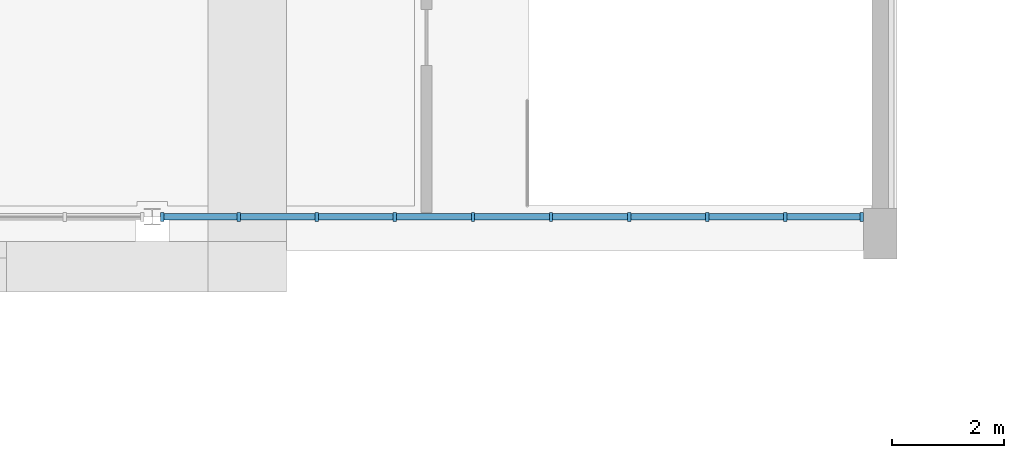
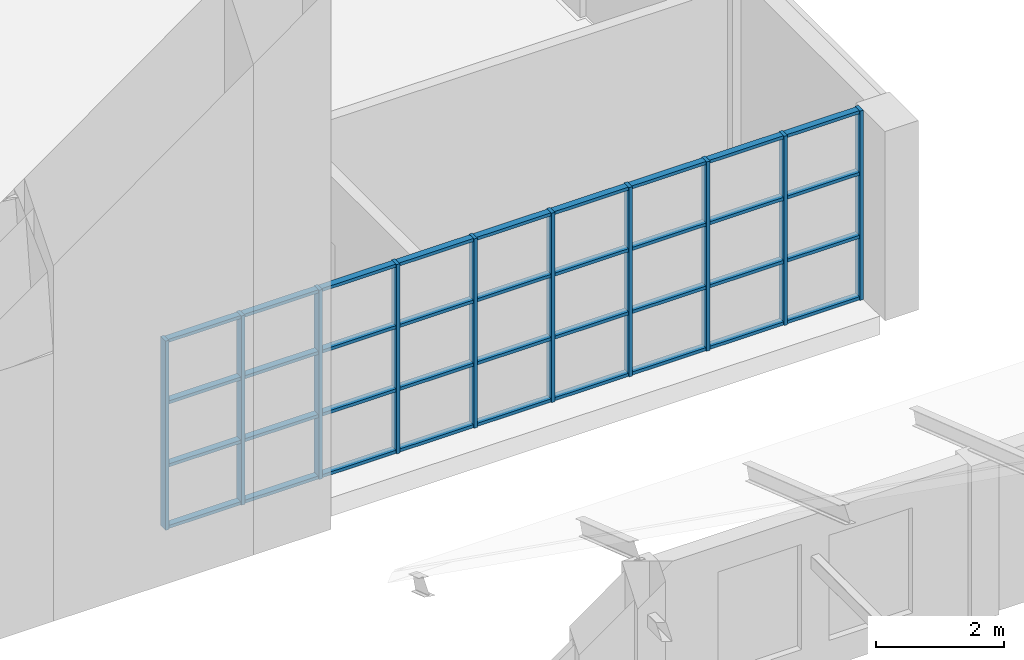
# One storey, part 14 of 82: 46 members, 1 element without a shape of its own.
"""IFC4 building model written with IfcOpenShell, lengths in metres."""

from ifc_helpers import new_model, si_unit, direction, frame, origin, origin_2d, place, context, subcontext, project, spatial, rectangle, extrude, material, material_profile, profile_set, type_object, element, aggregate, save


model = new_model("IFC4")

# Units and contexts
model_context = context("Model", 3, precision=1e-05, world=origin(), true_north=direction((0.0, 1.0)))
body_context = subcontext(model_context, "Body", "Model", "MODEL_VIEW")
ifc_project = project(units=[si_unit("LENGTHUNIT", "METRE"), si_unit("AREAUNIT", "SQUARE_METRE"), si_unit("VOLUMEUNIT", "CUBIC_METRE"), si_unit("PLANEANGLEUNIT", "RADIAN"), si_unit("MASSUNIT", "GRAM", prefix="KILO")], contexts=[model_context])

# Site, building, storey
site_placement = place(None, origin())
site = spatial("IfcSite", under=ifc_project, at=site_placement, CompositionType="ELEMENT")
building_placement = place(site_placement, origin())
building = spatial("IfcBuilding", under=site, at=building_placement, Name="Elbe Cascade School", CompositionType="ELEMENT")
storey_placement = place(building_placement, frame((0.0, 0.0, 4.5)))
storey = spatial("IfcBuildingStorey", under=building, at=storey_placement, Name="L01", CompositionType="ELEMENT", Elevation=4.5)

# Curtain wall, members
ifc_material_1 = material(Name="Glass - double glazed low-E", Category="glass")
curtain_wall_type = type_object("IfcCurtainWallType", Name="Hall gable curtain wall", PredefinedType="NOTDEFINED", material=ifc_material_1)
curtain_wall_placement = place(storey_placement, origin())
curtain_wall = element("IfcCurtainWall", 1, at=curtain_wall_placement, inside=storey, type_object=curtain_wall_type, Name="Gable curtain wall S4", PredefinedType="NOTDEFINED")
ifc_material_2 = material(Name="Aluminium - bronze anodised", Category="aluminium")
ifc_material_profile_1 = material_profile(ifc_material_2, rectangle(XDim=0.159912109375, YDim=0.06005859375, at=origin_2d()), Name="Alu 60x160")
ifc_profile_set_1 = profile_set([ifc_material_profile_1], Name="Aluminium - bronze anodised")
member_type_1 = type_object("IfcMemberType", Name="Hall gable mullion 60x160", PredefinedType="MULLION", material=ifc_profile_set_1)
member_1_placement = place(storey_placement, frame((47.179931640625, 41.300048828125, 0.0), z_axis=(0.0, 0.0, 1.0), x_axis=(0.0, 1.0, 0.0)))
member_1 = element("IfcMember", 2, at=member_1_placement, type_object=member_type_1, Name="CW6 mullion 1", PredefinedType="MULLION", context=body_context, shape_type="SweptSolid", body=[
    extrude(rectangle(XDim=0.159912109375, YDim=0.06005859375, at=origin_2d()), origin(), (0.0, 0.0, 1.0), 3.60009765625),
])
member_2_placement = place(storey_placement, frame((48.54443359375, 41.300048828125, 0.0), z_axis=(0.0, 0.0, 1.0), x_axis=(0.0, 1.0, 0.0)))
member_2 = element("IfcMember", 3, at=member_2_placement, type_object=member_type_1, Name="CW6 mullion 2", PredefinedType="MULLION", context=body_context, shape_type="SweptSolid", body=[
    extrude(rectangle(XDim=0.159912109375, YDim=0.06005859375, at=origin_2d()), origin(), (0.0, 0.0, 1.0), 3.60009765625),
])
member_3_placement = place(storey_placement, frame((49.93896484375, 41.300048828125, 0.0), z_axis=(0.0, 0.0, 1.0), x_axis=(0.0, 1.0, 0.0)))
member_3 = element("IfcMember", 4, at=member_3_placement, type_object=member_type_1, Name="CW6 mullion 3", PredefinedType="MULLION", context=body_context, shape_type="SweptSolid", body=[
    extrude(rectangle(XDim=0.159912109375, YDim=0.06005859375, at=origin_2d()), origin(), (0.0, 0.0, 1.0), 3.60009765625),
])
member_4_placement = place(storey_placement, frame((51.333251953125, 41.300048828125, 0.0), z_axis=(0.0, 0.0, 1.0), x_axis=(0.0, 1.0, 0.0)))
member_4 = element("IfcMember", 5, at=member_4_placement, type_object=member_type_1, Name="CW6 mullion 4", PredefinedType="MULLION", context=body_context, shape_type="SweptSolid", body=[
    extrude(rectangle(XDim=0.159912109375, YDim=0.06005859375, at=origin_2d()), origin(), (0.0, 0.0, 1.0), 3.60009765625),
])
member_5_placement = place(storey_placement, frame((52.727783203125, 41.300048828125, 0.0), z_axis=(0.0, 0.0, 1.0), x_axis=(0.0, 1.0, 0.0)))
member_5 = element("IfcMember", 6, at=member_5_placement, type_object=member_type_1, Name="CW6 mullion 5", PredefinedType="MULLION", context=body_context, shape_type="SweptSolid", body=[
    extrude(rectangle(XDim=0.159912109375, YDim=0.06005859375, at=origin_2d()), origin(), (0.0, 0.0, 1.0), 3.60009765625),
])
member_6_placement = place(storey_placement, frame((54.122314453125, 41.300048828125, 0.0), z_axis=(0.0, 0.0, 1.0), x_axis=(0.0, 1.0, 0.0)))
member_6 = element("IfcMember", 7, at=member_6_placement, type_object=member_type_1, Name="CW6 mullion 6", PredefinedType="MULLION", context=body_context, shape_type="SweptSolid", body=[
    extrude(rectangle(XDim=0.159912109375, YDim=0.06005859375, at=origin_2d()), origin(), (0.0, 0.0, 1.0), 3.60009765625),
])
member_7_placement = place(storey_placement, frame((55.5166015625, 41.300048828125, 0.0), z_axis=(0.0, 0.0, 1.0), x_axis=(0.0, 1.0, 0.0)))
member_7 = element("IfcMember", 8, at=member_7_placement, type_object=member_type_1, Name="CW6 mullion 7", PredefinedType="MULLION", context=body_context, shape_type="SweptSolid", body=[
    extrude(rectangle(XDim=0.159912109375, YDim=0.06005859375, at=origin_2d()), origin(), (0.0, 0.0, 1.0), 3.60009765625),
])
member_8_placement = place(storey_placement, frame((56.9111328125, 41.300048828125, 0.0), z_axis=(0.0, 0.0, 1.0), x_axis=(0.0, 1.0, 0.0)))
member_8 = element("IfcMember", 9, at=member_8_placement, type_object=member_type_1, Name="CW6 mullion 8", PredefinedType="MULLION", context=body_context, shape_type="SweptSolid", body=[
    extrude(rectangle(XDim=0.159912109375, YDim=0.06005859375, at=origin_2d()), origin(), (0.0, 0.0, 1.0), 3.60009765625),
])
member_9_placement = place(storey_placement, frame((58.3056640625, 41.300048828125, 0.0), z_axis=(0.0, 0.0, 1.0), x_axis=(0.0, 1.0, 0.0)))
member_9 = element("IfcMember", 10, at=member_9_placement, type_object=member_type_1, Name="CW6 mullion 9", PredefinedType="MULLION", context=body_context, shape_type="SweptSolid", body=[
    extrude(rectangle(XDim=0.159912109375, YDim=0.06005859375, at=origin_2d()), origin(), (0.0, 0.0, 1.0), 3.60009765625),
])
member_10_placement = place(storey_placement, frame((59.669921875, 41.300048828125, 0.0), z_axis=(0.0, 0.0, 1.0), x_axis=(0.0, 1.0, 0.0)))
member_10 = element("IfcMember", 11, at=member_10_placement, type_object=member_type_1, Name="CW6 mullion 10", PredefinedType="MULLION", context=body_context, shape_type="SweptSolid", body=[
    extrude(rectangle(XDim=0.159912109375, YDim=0.06005859375, at=origin_2d()), origin(), (0.0, 0.0, 1.0), 3.60009765625),
])
ifc_material_3 = material(Name="Aluminium - bronze anodised", Category="aluminium")
ifc_material_profile_2 = material_profile(ifc_material_3, rectangle(XDim=0.1201171875, YDim=0.06005859375, at=origin_2d()), Name="Alu 60x120")
ifc_profile_set_2 = profile_set([ifc_material_profile_2], Name="Aluminium - bronze anodised")
member_type_2 = type_object("IfcMemberType", Name="Hall gable transom 60x120", PredefinedType="USERDEFINED", material=ifc_profile_set_2)
member_11_placement = place(storey_placement, frame((47.2099609375, 41.300048828125, 0.030029296875), z_axis=(1.0, 0.0, 0.0), x_axis=(0.0, 1.0, 0.0)))
member_11 = element("IfcMember", 12, at=member_11_placement, type_object=member_type_2, Name="CW6 transom 1.1", ObjectType="TRANSOM", PredefinedType="USERDEFINED", context=body_context, shape_type="SweptSolid", body=[
    extrude(rectangle(XDim=0.1201171875, YDim=0.06005859375, at=origin_2d()), origin(), (0.0, 0.0, 1.0), 1.304443359375),
])
member_12_placement = place(storey_placement, frame((47.2099609375, 41.300048828125, 1.199951171875), z_axis=(1.0, 0.0, 0.0), x_axis=(0.0, 1.0, 0.0)))
member_12 = element("IfcMember", 13, at=member_12_placement, type_object=member_type_2, Name="CW6 transom 1.2", ObjectType="TRANSOM", PredefinedType="USERDEFINED", context=body_context, shape_type="SweptSolid", body=[
    extrude(rectangle(XDim=0.1201171875, YDim=0.06005859375, at=origin_2d()), origin(), (0.0, 0.0, 1.0), 1.304443359375),
])
member_13_placement = place(storey_placement, frame((47.2099609375, 41.300048828125, 2.39990234375), z_axis=(1.0, 0.0, 0.0), x_axis=(0.0, 1.0, 0.0)))
member_13 = element("IfcMember", 14, at=member_13_placement, type_object=member_type_2, Name="CW6 transom 1.3", ObjectType="TRANSOM", PredefinedType="USERDEFINED", context=body_context, shape_type="SweptSolid", body=[
    extrude(rectangle(XDim=0.1201171875, YDim=0.06005859375, at=origin_2d()), origin(), (0.0, 0.0, 1.0), 1.304443359375),
])
member_14_placement = place(storey_placement, frame((47.2099609375, 41.300048828125, 3.570068359375), z_axis=(1.0, 0.0, 0.0), x_axis=(0.0, 1.0, 0.0)))
member_14 = element("IfcMember", 15, at=member_14_placement, type_object=member_type_2, Name="CW6 transom 1.4", ObjectType="TRANSOM", PredefinedType="USERDEFINED", context=body_context, shape_type="SweptSolid", body=[
    extrude(rectangle(XDim=0.1201171875, YDim=0.06005859375, at=origin_2d()), origin(), (0.0, 0.0, 1.0), 1.304443359375),
])
member_15_placement = place(storey_placement, frame((48.574462890625, 41.300048828125, 0.030029296875), z_axis=(1.0, 0.0, 0.0), x_axis=(0.0, 1.0, 0.0)))
member_15 = element("IfcMember", 16, at=member_15_placement, type_object=member_type_2, Name="CW6 transom 2.1", ObjectType="TRANSOM", PredefinedType="USERDEFINED", context=body_context, shape_type="SweptSolid", body=[
    extrude(rectangle(XDim=0.1201171875, YDim=0.06005859375, at=origin_2d()), origin(), (0.0, 0.0, 1.0), 1.33447265625),
])
member_16_placement = place(storey_placement, frame((48.574462890625, 41.300048828125, 1.199951171875), z_axis=(1.0, 0.0, 0.0), x_axis=(0.0, 1.0, 0.0)))
member_16 = element("IfcMember", 17, at=member_16_placement, type_object=member_type_2, Name="CW6 transom 2.2", ObjectType="TRANSOM", PredefinedType="USERDEFINED", context=body_context, shape_type="SweptSolid", body=[
    extrude(rectangle(XDim=0.1201171875, YDim=0.06005859375, at=origin_2d()), origin(), (0.0, 0.0, 1.0), 1.33447265625),
])
member_17_placement = place(storey_placement, frame((48.574462890625, 41.300048828125, 2.39990234375), z_axis=(1.0, 0.0, 0.0), x_axis=(0.0, 1.0, 0.0)))
member_17 = element("IfcMember", 18, at=member_17_placement, type_object=member_type_2, Name="CW6 transom 2.3", ObjectType="TRANSOM", PredefinedType="USERDEFINED", context=body_context, shape_type="SweptSolid", body=[
    extrude(rectangle(XDim=0.1201171875, YDim=0.06005859375, at=origin_2d()), origin(), (0.0, 0.0, 1.0), 1.33447265625),
])
member_18_placement = place(storey_placement, frame((48.574462890625, 41.300048828125, 3.570068359375), z_axis=(1.0, 0.0, 0.0), x_axis=(0.0, 1.0, 0.0)))
member_18 = element("IfcMember", 19, at=member_18_placement, type_object=member_type_2, Name="CW6 transom 2.4", ObjectType="TRANSOM", PredefinedType="USERDEFINED", context=body_context, shape_type="SweptSolid", body=[
    extrude(rectangle(XDim=0.1201171875, YDim=0.06005859375, at=origin_2d()), origin(), (0.0, 0.0, 1.0), 1.33447265625),
])
member_19_placement = place(storey_placement, frame((49.968994140625, 41.300048828125, 0.030029296875), z_axis=(1.0, 0.0, 0.0), x_axis=(0.0, 1.0, 0.0)))
member_19 = element("IfcMember", 20, at=member_19_placement, type_object=member_type_2, Name="CW6 transom 3.1", ObjectType="TRANSOM", PredefinedType="USERDEFINED", context=body_context, shape_type="SweptSolid", body=[
    extrude(rectangle(XDim=0.1201171875, YDim=0.06005859375, at=origin_2d()), origin(), (0.0, 0.0, 1.0), 1.334228515625),
])
member_20_placement = place(storey_placement, frame((49.968994140625, 41.300048828125, 1.199951171875), z_axis=(1.0, 0.0, 0.0), x_axis=(0.0, 1.0, 0.0)))
member_20 = element("IfcMember", 21, at=member_20_placement, type_object=member_type_2, Name="CW6 transom 3.2", ObjectType="TRANSOM", PredefinedType="USERDEFINED", context=body_context, shape_type="SweptSolid", body=[
    extrude(rectangle(XDim=0.1201171875, YDim=0.06005859375, at=origin_2d()), origin(), (0.0, 0.0, 1.0), 1.334228515625),
])
member_21_placement = place(storey_placement, frame((49.968994140625, 41.300048828125, 2.39990234375), z_axis=(1.0, 0.0, 0.0), x_axis=(0.0, 1.0, 0.0)))
member_21 = element("IfcMember", 22, at=member_21_placement, type_object=member_type_2, Name="CW6 transom 3.3", ObjectType="TRANSOM", PredefinedType="USERDEFINED", context=body_context, shape_type="SweptSolid", body=[
    extrude(rectangle(XDim=0.1201171875, YDim=0.06005859375, at=origin_2d()), origin(), (0.0, 0.0, 1.0), 1.334228515625),
])
member_22_placement = place(storey_placement, frame((49.968994140625, 41.300048828125, 3.570068359375), z_axis=(1.0, 0.0, 0.0), x_axis=(0.0, 1.0, 0.0)))
member_22 = element("IfcMember", 23, at=member_22_placement, type_object=member_type_2, Name="CW6 transom 3.4", ObjectType="TRANSOM", PredefinedType="USERDEFINED", context=body_context, shape_type="SweptSolid", body=[
    extrude(rectangle(XDim=0.1201171875, YDim=0.06005859375, at=origin_2d()), origin(), (0.0, 0.0, 1.0), 1.334228515625),
])
member_23_placement = place(storey_placement, frame((51.36328125, 41.300048828125, 0.030029296875), z_axis=(1.0, 0.0, 0.0), x_axis=(0.0, 1.0, 0.0)))
member_23 = element("IfcMember", 24, at=member_23_placement, type_object=member_type_2, Name="CW6 transom 4.1", ObjectType="TRANSOM", PredefinedType="USERDEFINED", context=body_context, shape_type="SweptSolid", body=[
    extrude(rectangle(XDim=0.1201171875, YDim=0.06005859375, at=origin_2d()), origin(), (0.0, 0.0, 1.0), 1.33447265625),
])
member_24_placement = place(storey_placement, frame((51.36328125, 41.300048828125, 1.199951171875), z_axis=(1.0, 0.0, 0.0), x_axis=(0.0, 1.0, 0.0)))
member_24 = element("IfcMember", 25, at=member_24_placement, type_object=member_type_2, Name="CW6 transom 4.2", ObjectType="TRANSOM", PredefinedType="USERDEFINED", context=body_context, shape_type="SweptSolid", body=[
    extrude(rectangle(XDim=0.1201171875, YDim=0.06005859375, at=origin_2d()), origin(), (0.0, 0.0, 1.0), 1.33447265625),
])
member_25_placement = place(storey_placement, frame((51.36328125, 41.300048828125, 2.39990234375), z_axis=(1.0, 0.0, 0.0), x_axis=(0.0, 1.0, 0.0)))
member_25 = element("IfcMember", 26, at=member_25_placement, type_object=member_type_2, Name="CW6 transom 4.3", ObjectType="TRANSOM", PredefinedType="USERDEFINED", context=body_context, shape_type="SweptSolid", body=[
    extrude(rectangle(XDim=0.1201171875, YDim=0.06005859375, at=origin_2d()), origin(), (0.0, 0.0, 1.0), 1.33447265625),
])
member_26_placement = place(storey_placement, frame((51.36328125, 41.300048828125, 3.570068359375), z_axis=(1.0, 0.0, 0.0), x_axis=(0.0, 1.0, 0.0)))
member_26 = element("IfcMember", 27, at=member_26_placement, type_object=member_type_2, Name="CW6 transom 4.4", ObjectType="TRANSOM", PredefinedType="USERDEFINED", context=body_context, shape_type="SweptSolid", body=[
    extrude(rectangle(XDim=0.1201171875, YDim=0.06005859375, at=origin_2d()), origin(), (0.0, 0.0, 1.0), 1.33447265625),
])
member_27_placement = place(storey_placement, frame((52.7578125, 41.300048828125, 0.030029296875), z_axis=(1.0, 0.0, 0.0), x_axis=(0.0, 1.0, 0.0)))
member_27 = element("IfcMember", 28, at=member_27_placement, type_object=member_type_2, Name="CW6 transom 5.1", ObjectType="TRANSOM", PredefinedType="USERDEFINED", context=body_context, shape_type="SweptSolid", body=[
    extrude(rectangle(XDim=0.1201171875, YDim=0.06005859375, at=origin_2d()), origin(), (0.0, 0.0, 1.0), 1.33447265625),
])
member_28_placement = place(storey_placement, frame((52.7578125, 41.300048828125, 1.199951171875), z_axis=(1.0, 0.0, 0.0), x_axis=(0.0, 1.0, 0.0)))
member_28 = element("IfcMember", 29, at=member_28_placement, type_object=member_type_2, Name="CW6 transom 5.2", ObjectType="TRANSOM", PredefinedType="USERDEFINED", context=body_context, shape_type="SweptSolid", body=[
    extrude(rectangle(XDim=0.1201171875, YDim=0.06005859375, at=origin_2d()), origin(), (0.0, 0.0, 1.0), 1.33447265625),
])
member_29_placement = place(storey_placement, frame((52.7578125, 41.300048828125, 2.39990234375), z_axis=(1.0, 0.0, 0.0), x_axis=(0.0, 1.0, 0.0)))
member_29 = element("IfcMember", 30, at=member_29_placement, type_object=member_type_2, Name="CW6 transom 5.3", ObjectType="TRANSOM", PredefinedType="USERDEFINED", context=body_context, shape_type="SweptSolid", body=[
    extrude(rectangle(XDim=0.1201171875, YDim=0.06005859375, at=origin_2d()), origin(), (0.0, 0.0, 1.0), 1.33447265625),
])
member_30_placement = place(storey_placement, frame((52.7578125, 41.300048828125, 3.570068359375), z_axis=(1.0, 0.0, 0.0), x_axis=(0.0, 1.0, 0.0)))
member_30 = element("IfcMember", 31, at=member_30_placement, type_object=member_type_2, Name="CW6 transom 5.4", ObjectType="TRANSOM", PredefinedType="USERDEFINED", context=body_context, shape_type="SweptSolid", body=[
    extrude(rectangle(XDim=0.1201171875, YDim=0.06005859375, at=origin_2d()), origin(), (0.0, 0.0, 1.0), 1.33447265625),
])
member_31_placement = place(storey_placement, frame((54.15234375, 41.300048828125, 0.030029296875), z_axis=(1.0, 0.0, 0.0), x_axis=(0.0, 1.0, 0.0)))
member_31 = element("IfcMember", 32, at=member_31_placement, type_object=member_type_2, Name="CW6 transom 6.1", ObjectType="TRANSOM", PredefinedType="USERDEFINED", context=body_context, shape_type="SweptSolid", body=[
    extrude(rectangle(XDim=0.1201171875, YDim=0.06005859375, at=origin_2d()), origin(), (0.0, 0.0, 1.0), 1.334228515625),
])
member_32_placement = place(storey_placement, frame((54.15234375, 41.300048828125, 1.199951171875), z_axis=(1.0, 0.0, 0.0), x_axis=(0.0, 1.0, 0.0)))
member_32 = element("IfcMember", 33, at=member_32_placement, type_object=member_type_2, Name="CW6 transom 6.2", ObjectType="TRANSOM", PredefinedType="USERDEFINED", context=body_context, shape_type="SweptSolid", body=[
    extrude(rectangle(XDim=0.1201171875, YDim=0.06005859375, at=origin_2d()), origin(), (0.0, 0.0, 1.0), 1.334228515625),
])
member_33_placement = place(storey_placement, frame((54.15234375, 41.300048828125, 2.39990234375), z_axis=(1.0, 0.0, 0.0), x_axis=(0.0, 1.0, 0.0)))
member_33 = element("IfcMember", 34, at=member_33_placement, type_object=member_type_2, Name="CW6 transom 6.3", ObjectType="TRANSOM", PredefinedType="USERDEFINED", context=body_context, shape_type="SweptSolid", body=[
    extrude(rectangle(XDim=0.1201171875, YDim=0.06005859375, at=origin_2d()), origin(), (0.0, 0.0, 1.0), 1.334228515625),
])
member_34_placement = place(storey_placement, frame((54.15234375, 41.300048828125, 3.570068359375), z_axis=(1.0, 0.0, 0.0), x_axis=(0.0, 1.0, 0.0)))
member_34 = element("IfcMember", 35, at=member_34_placement, type_object=member_type_2, Name="CW6 transom 6.4", ObjectType="TRANSOM", PredefinedType="USERDEFINED", context=body_context, shape_type="SweptSolid", body=[
    extrude(rectangle(XDim=0.1201171875, YDim=0.06005859375, at=origin_2d()), origin(), (0.0, 0.0, 1.0), 1.334228515625),
])
member_35_placement = place(storey_placement, frame((55.546630859375, 41.300048828125, 0.030029296875), z_axis=(1.0, 0.0, 0.0), x_axis=(0.0, 1.0, 0.0)))
member_35 = element("IfcMember", 36, at=member_35_placement, type_object=member_type_2, Name="CW6 transom 7.1", ObjectType="TRANSOM", PredefinedType="USERDEFINED", context=body_context, shape_type="SweptSolid", body=[
    extrude(rectangle(XDim=0.1201171875, YDim=0.06005859375, at=origin_2d()), origin(), (0.0, 0.0, 1.0), 1.33447265625),
])
member_36_placement = place(storey_placement, frame((55.546630859375, 41.300048828125, 1.199951171875), z_axis=(1.0, 0.0, 0.0), x_axis=(0.0, 1.0, 0.0)))
member_36 = element("IfcMember", 37, at=member_36_placement, type_object=member_type_2, Name="CW6 transom 7.2", ObjectType="TRANSOM", PredefinedType="USERDEFINED", context=body_context, shape_type="SweptSolid", body=[
    extrude(rectangle(XDim=0.1201171875, YDim=0.06005859375, at=origin_2d()), origin(), (0.0, 0.0, 1.0), 1.33447265625),
])
member_37_placement = place(storey_placement, frame((55.546630859375, 41.300048828125, 2.39990234375), z_axis=(1.0, 0.0, 0.0), x_axis=(0.0, 1.0, 0.0)))
member_37 = element("IfcMember", 38, at=member_37_placement, type_object=member_type_2, Name="CW6 transom 7.3", ObjectType="TRANSOM", PredefinedType="USERDEFINED", context=body_context, shape_type="SweptSolid", body=[
    extrude(rectangle(XDim=0.1201171875, YDim=0.06005859375, at=origin_2d()), origin(), (0.0, 0.0, 1.0), 1.33447265625),
])
member_38_placement = place(storey_placement, frame((55.546630859375, 41.300048828125, 3.570068359375), z_axis=(1.0, 0.0, 0.0), x_axis=(0.0, 1.0, 0.0)))
member_38 = element("IfcMember", 39, at=member_38_placement, type_object=member_type_2, Name="CW6 transom 7.4", ObjectType="TRANSOM", PredefinedType="USERDEFINED", context=body_context, shape_type="SweptSolid", body=[
    extrude(rectangle(XDim=0.1201171875, YDim=0.06005859375, at=origin_2d()), origin(), (0.0, 0.0, 1.0), 1.33447265625),
])
member_39_placement = place(storey_placement, frame((56.941162109375, 41.300048828125, 0.030029296875), z_axis=(1.0, 0.0, 0.0), x_axis=(0.0, 1.0, 0.0)))
member_39 = element("IfcMember", 40, at=member_39_placement, type_object=member_type_2, Name="CW6 transom 8.1", ObjectType="TRANSOM", PredefinedType="USERDEFINED", context=body_context, shape_type="SweptSolid", body=[
    extrude(rectangle(XDim=0.1201171875, YDim=0.06005859375, at=origin_2d()), origin(), (0.0, 0.0, 1.0), 1.33447265625),
])
member_40_placement = place(storey_placement, frame((56.941162109375, 41.300048828125, 1.199951171875), z_axis=(1.0, 0.0, 0.0), x_axis=(0.0, 1.0, 0.0)))
member_40 = element("IfcMember", 41, at=member_40_placement, type_object=member_type_2, Name="CW6 transom 8.2", ObjectType="TRANSOM", PredefinedType="USERDEFINED", context=body_context, shape_type="SweptSolid", body=[
    extrude(rectangle(XDim=0.1201171875, YDim=0.06005859375, at=origin_2d()), origin(), (0.0, 0.0, 1.0), 1.33447265625),
])
member_41_placement = place(storey_placement, frame((56.941162109375, 41.300048828125, 2.39990234375), z_axis=(1.0, 0.0, 0.0), x_axis=(0.0, 1.0, 0.0)))
member_41 = element("IfcMember", 42, at=member_41_placement, type_object=member_type_2, Name="CW6 transom 8.3", ObjectType="TRANSOM", PredefinedType="USERDEFINED", context=body_context, shape_type="SweptSolid", body=[
    extrude(rectangle(XDim=0.1201171875, YDim=0.06005859375, at=origin_2d()), origin(), (0.0, 0.0, 1.0), 1.33447265625),
])
member_42_placement = place(storey_placement, frame((56.941162109375, 41.300048828125, 3.570068359375), z_axis=(1.0, 0.0, 0.0), x_axis=(0.0, 1.0, 0.0)))
member_42 = element("IfcMember", 43, at=member_42_placement, type_object=member_type_2, Name="CW6 transom 8.4", ObjectType="TRANSOM", PredefinedType="USERDEFINED", context=body_context, shape_type="SweptSolid", body=[
    extrude(rectangle(XDim=0.1201171875, YDim=0.06005859375, at=origin_2d()), origin(), (0.0, 0.0, 1.0), 1.33447265625),
])
member_43_placement = place(storey_placement, frame((58.33544921875, 41.300048828125, 0.030029296875), z_axis=(1.0, 0.0, 0.0), x_axis=(0.0, 1.0, 0.0)))
member_43 = element("IfcMember", 44, at=member_43_placement, type_object=member_type_2, Name="CW6 transom 9.1", ObjectType="TRANSOM", PredefinedType="USERDEFINED", context=body_context, shape_type="SweptSolid", body=[
    extrude(rectangle(XDim=0.1201171875, YDim=0.06005859375, at=origin_2d()), origin(), (0.0, 0.0, 1.0), 1.304443359375),
])
member_44_placement = place(storey_placement, frame((58.33544921875, 41.300048828125, 1.199951171875), z_axis=(1.0, 0.0, 0.0), x_axis=(0.0, 1.0, 0.0)))
member_44 = element("IfcMember", 45, at=member_44_placement, type_object=member_type_2, Name="CW6 transom 9.2", ObjectType="TRANSOM", PredefinedType="USERDEFINED", context=body_context, shape_type="SweptSolid", body=[
    extrude(rectangle(XDim=0.1201171875, YDim=0.06005859375, at=origin_2d()), origin(), (0.0, 0.0, 1.0), 1.304443359375),
])
member_45_placement = place(storey_placement, frame((58.33544921875, 41.300048828125, 2.39990234375), z_axis=(1.0, 0.0, 0.0), x_axis=(0.0, 1.0, 0.0)))
member_45 = element("IfcMember", 46, at=member_45_placement, type_object=member_type_2, Name="CW6 transom 9.3", ObjectType="TRANSOM", PredefinedType="USERDEFINED", context=body_context, shape_type="SweptSolid", body=[
    extrude(rectangle(XDim=0.1201171875, YDim=0.06005859375, at=origin_2d()), origin(), (0.0, 0.0, 1.0), 1.304443359375),
])
member_46_placement = place(storey_placement, frame((58.33544921875, 41.300048828125, 3.570068359375), z_axis=(1.0, 0.0, 0.0), x_axis=(0.0, 1.0, 0.0)))
member_46 = element("IfcMember", 47, at=member_46_placement, type_object=member_type_2, Name="CW6 transom 9.4", ObjectType="TRANSOM", PredefinedType="USERDEFINED", context=body_context, shape_type="SweptSolid", body=[
    extrude(rectangle(XDim=0.1201171875, YDim=0.06005859375, at=origin_2d()), origin(), (0.0, 0.0, 1.0), 1.304443359375),
])
aggregate(curtain_wall, [member_1, member_2, member_3, member_4, member_5, member_6, member_7, member_8, member_9, member_10, member_11, member_12, member_13, member_14, member_15, member_16, member_17, member_18, member_19, member_20, member_21, member_22, member_23, member_24, member_25, member_26, member_27, member_28, member_29, member_30, member_31, member_32, member_33, member_34, member_35, member_36, member_37, member_38, member_39, member_40, member_41, member_42, member_43, member_44, member_45, member_46])

save(model, "model.ifc")
